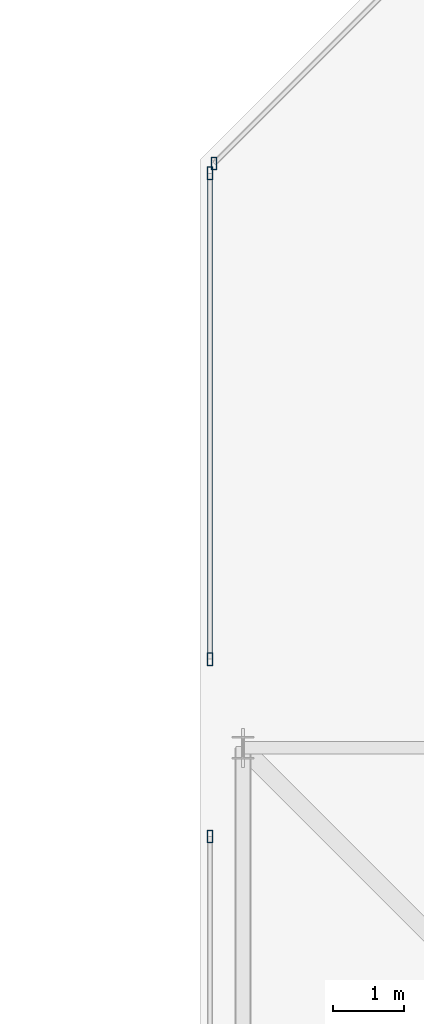
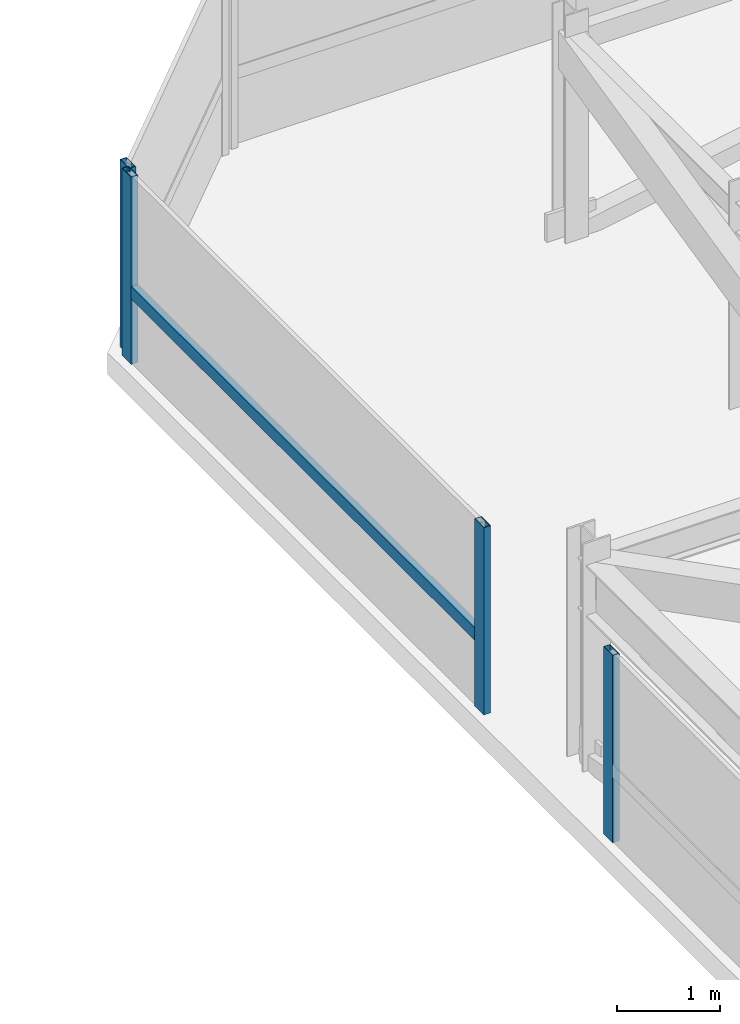
# One storey, part 28 of 44: 5 members, 3 elements without a shape of their own.
"""IFC4 building model written with IfcOpenShell, lengths in metres."""

from ifc_helpers import new_model, si_unit, direction, frame, origin, origin_2d, place, context, subcontext, project, spatial, hollow_rectangle, extrude, material, material_profile, profile_set, type_object, element, aggregate, save


model = new_model("IFC4")

# Units and contexts
model_context = context("Model", 3, precision=1e-05, world=origin(), true_north=direction((0.0, 1.0)))
body_context = subcontext(model_context, "Body", "Model", "MODEL_VIEW")
ifc_project = project(units=[si_unit("LENGTHUNIT", "METRE"), si_unit("AREAUNIT", "SQUARE_METRE"), si_unit("VOLUMEUNIT", "CUBIC_METRE"), si_unit("PLANEANGLEUNIT", "RADIAN"), si_unit("MASSUNIT", "GRAM", prefix="KILO")], contexts=[model_context])

# Site, building, storey
site_placement = place(None, origin())
site = spatial("IfcSite", under=ifc_project, at=site_placement, CompositionType="ELEMENT")
building_placement = place(site_placement, origin())
building = spatial("IfcBuilding", under=site, at=building_placement, Name="Thornwick Lancets Civic Towers", CompositionType="ELEMENT")
storey_placement = place(building_placement, frame((0.0, 0.0, 292.199951171875)))
storey = spatial("IfcBuildingStorey", under=building, at=storey_placement, Name="C05", CompositionType="ELEMENT", Elevation=292.199951171875)

# Curtain wall, member
ifc_material_1 = material(Name="Crown ring acoustic-louvre and glazing screen wall", Category="glass")
curtain_wall_type = type_object("IfcCurtainWallType", Name="CW_SYS_07", PredefinedType="NOTDEFINED", material=ifc_material_1)
curtain_wall_1_placement = place(storey_placement, origin())
curtain_wall_1 = element("IfcCurtainWall", 1, at=curtain_wall_1_placement, inside=storey, type_object=curtain_wall_type, Name="C05 Curtain Wall CW-C05-B-E5", PredefinedType="NOTDEFINED")
ifc_material_2 = material(Name="Thermally broken bronze aluminium S355", Category="steel")
ifc_material_profile_1 = material_profile(ifc_material_2, hollow_rectangle(XDim=0.074951171875, YDim=0.179931640625, WallThickness=0.006103515625, at=origin_2d()), Name="RHS 180x75x6")
ifc_profile_set_1 = profile_set([ifc_material_profile_1], Name="Thermally broken bronze aluminium S355")
member_type_1 = type_object("IfcMemberType", Name="CW_MUL_180", PredefinedType="MULLION", material=ifc_profile_set_1)
member_1_placement = place(storey_placement, frame((70.7919921875, 48.238037109375, 0.0), z_axis=(0.0, 0.0, 1.0), x_axis=(1.0, 0.0, 0.0)))
member_1 = element("IfcMember", 2, at=member_1_placement, type_object=member_type_1, Name="CW-C05-B-E5 Mullion 1", PredefinedType="MULLION", context=body_context, shape_type="SweptSolid", body=[
    extrude(hollow_rectangle(XDim=0.074951171875, YDim=0.179931640625, WallThickness=0.006103515625, at=origin_2d()), origin(), (0.0, 0.0, 1.0), 2.219970703125),
])
aggregate(curtain_wall_1, [member_1])

# Curtain wall, members
curtain_wall_2_placement = place(storey_placement, origin())
curtain_wall_2 = element("IfcCurtainWall", 3, at=curtain_wall_2_placement, inside=storey, type_object=curtain_wall_type, Name="C05 Curtain Wall CW-C05-B-E6-S1", PredefinedType="NOTDEFINED")
member_2_placement = place(storey_placement, frame((70.7353515625, 48.101318359375, 0.0), z_axis=(0.0, 0.0, 1.0), x_axis=(1.0, 0.0, 0.0)))
member_2 = element("IfcMember", 4, at=member_2_placement, type_object=member_type_1, Name="CW-C05-B-E6-S1 Mullion 0", PredefinedType="MULLION", context=body_context, shape_type="SweptSolid", body=[
    extrude(hollow_rectangle(XDim=0.074951171875, YDim=0.179931640625, WallThickness=0.006103515625, at=origin_2d()), origin(), (0.0, 0.0, 1.0), 2.219970703125),
])
member_3_placement = place(storey_placement, frame((70.7353515625, 41.25, 0.0), z_axis=(0.0, 0.0, 1.0), x_axis=(1.0, 0.0, 0.0)))
member_3 = element("IfcMember", 5, at=member_3_placement, type_object=member_type_1, Name="CW-C05-B-E6-S1 Mullion 1", PredefinedType="MULLION", context=body_context, shape_type="SweptSolid", body=[
    extrude(hollow_rectangle(XDim=0.074951171875, YDim=0.179931640625, WallThickness=0.006103515625, at=origin_2d()), origin(), (0.0, 0.0, 1.0), 2.219970703125),
])

# Curtain wall, member
curtain_wall_3_placement = place(storey_placement, origin())
curtain_wall_3 = element("IfcCurtainWall", 6, at=curtain_wall_3_placement, inside=storey, type_object=curtain_wall_type, Name="C05 Curtain Wall CW-C05-B-E6-S2", PredefinedType="NOTDEFINED")
member_4_placement = place(storey_placement, frame((70.7353515625, 38.75, 0.0), z_axis=(0.0, 0.0, 1.0), x_axis=(1.0, 0.0, 0.0)))
member_4 = element("IfcMember", 7, at=member_4_placement, type_object=member_type_1, Name="CW-C05-B-E6-S2 Mullion 0", PredefinedType="MULLION", context=body_context, shape_type="SweptSolid", body=[
    extrude(hollow_rectangle(XDim=0.074951171875, YDim=0.179931640625, WallThickness=0.006103515625, at=origin_2d()), origin(), (0.0, 0.0, 1.0), 2.219970703125),
])
aggregate(curtain_wall_3, [member_4])

# Member
ifc_material_profile_2 = material_profile(ifc_material_2, hollow_rectangle(XDim=0.074951171875, YDim=0.14990234375, WallThickness=0.0048828125, at=origin_2d()), Name="RHS 150x75x5")
ifc_profile_set_2 = profile_set([ifc_material_profile_2], Name="Thermally broken bronze aluminium S355")
member_type_2 = type_object("IfcMemberType", Name="CW_TRN_150", PredefinedType="USERDEFINED", material=ifc_profile_set_2)
member_5_placement = place(storey_placement, frame((70.7353515625, 48.081298828125, 0.85009765625), z_axis=(0.0, -1.0, 0.0), x_axis=(1.0, 0.0, 0.0)))
member_5 = element("IfcMember", 8, at=member_5_placement, type_object=member_type_2, Name="CW-C05-B-E6-S1 Transom 0", ObjectType="TRANSOM", PredefinedType="USERDEFINED", context=body_context, shape_type="SweptSolid", body=[
    extrude(hollow_rectangle(XDim=0.074951171875, YDim=0.14990234375, WallThickness=0.0048828125, at=origin_2d()), origin(), (0.0, 0.0, 1.0), 6.811279296875),
])

aggregate(curtain_wall_2, [member_2, member_3, member_5])

save(model, "model.ifc")
